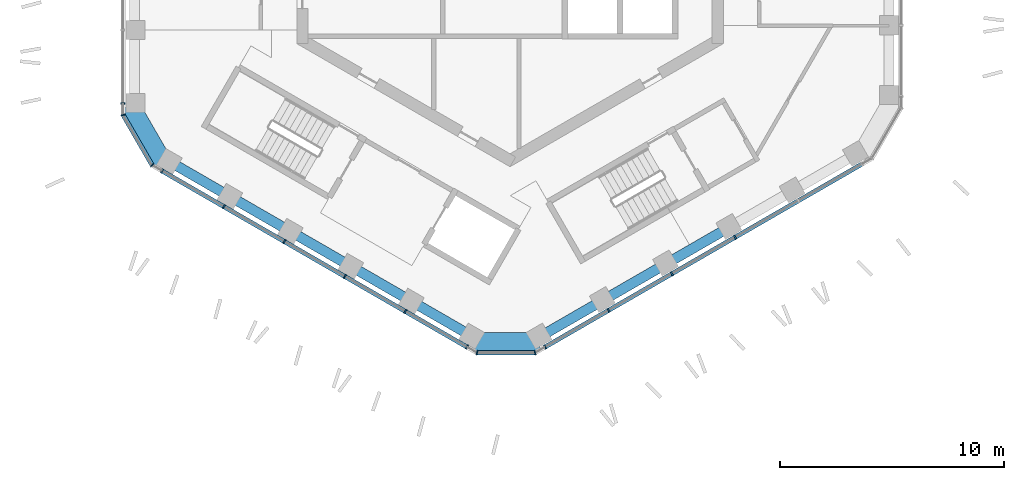
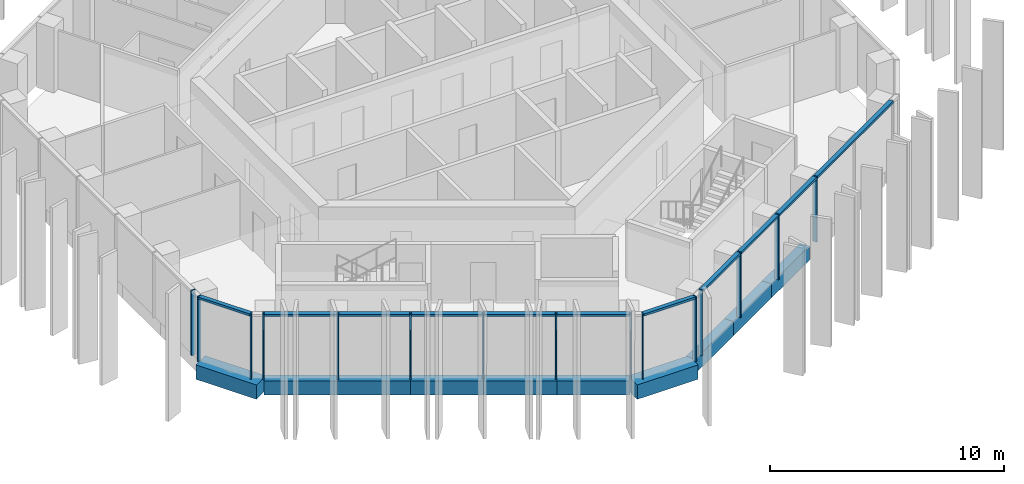
# One storey, part 2 of 18: 19 members, 10 beams, 5 elements without a shape of their own.
"""IFC4 building model written with IfcOpenShell, lengths in metres."""

import ifcopenshell
import ifcopenshell.guid

model = None  # the IFC model being written
_history = None  # IfcOwnerHistory: only IFC2X3 demands one
_inside = {}  # id of a spatial element -> (the spatial element, [elements in it])
_under = {}  # id of a project, library or spatial element -> (it, [spatial elements below it])
_declared = {}  # id of a project -> (the project, [libraries it declares])
_typed = {}  # id of a type object -> (the type object, [elements of that type])
_made_of = {}  # id of a material, layer set ... -> (it, [elements and type objects made of it])


def new_model(schema):
    """Start an empty IFC model of exactly this schema.

    Asked for "IFC4X3", IfcOpenShell would pick the latest addendum, in which some entities
    have other attributes; the version numbers below select the first issue.
    IFC2X3 requires an IfcOwnerHistory on every rooted entity: one is made here for all.
    """
    global model, _history
    if schema == "IFC4X3":
        model = ifcopenshell.file(schema_version=(4, 3, 0, 0))
    else:
        model = ifcopenshell.file(schema=schema)
    _inside.clear()
    _under.clear()
    _declared.clear()
    _typed.clear()
    _made_of.clear()
    _history = None
    if model.schema == "IFC2X3":
        org = make("IfcOrganization", Name="unknown")
        user = make(
            "IfcPersonAndOrganization",
            ThePerson=make("IfcPerson", FamilyName="unknown"),
            TheOrganization=org,
        )
        app = make(
            "IfcApplication",
            ApplicationDeveloper=org,
            Version="unknown",
            ApplicationFullName="unknown",
            ApplicationIdentifier="unknown",
        )
        _history = make(
            "IfcOwnerHistory",
            OwningUser=user,
            OwningApplication=app,
            ChangeAction="ADDED",
            CreationDate=0,
        )
    return model


def make(cls, **values):
    """One entity of the class cls with the attributes given. An attribute that is None is left unset."""
    return model.create_entity(
        cls, **{name: value for name, value in values.items() if value is not None}
    )


def rooted(cls, **values):
    """An entity with a GlobalId (a new one), such as an element, a storey or a relation."""
    return make(cls, GlobalId=ifcopenshell.guid.new(), OwnerHistory=_history, **values)


def si_unit(unit_type, name, prefix=None):
    """IfcSIUnit, for example si_unit("LENGTHUNIT", "METRE", prefix="MILLI")."""
    return make("IfcSIUnit", UnitType=unit_type, Prefix=prefix, Name=name)


def assignment(units):
    """IfcUnitAssignment: the units of a project."""
    return None if units is None else make("IfcUnitAssignment", Units=units)


def point(xyz):
    """IfcCartesianPoint."""
    return None if xyz is None else make("IfcCartesianPoint", Coordinates=xyz)


def direction(xyz):
    """IfcDirection."""
    return None if xyz is None else make("IfcDirection", DirectionRatios=xyz)


def frame(location, z_axis=None, x_axis=None):
    """IfcAxis2Placement3D, a coordinate frame: its origin and axes. An axis left out is left unset."""
    return make(
        "IfcAxis2Placement3D",
        Location=point(location),
        Axis=direction(z_axis),
        RefDirection=direction(x_axis),
    )


def frame_2d(location, x_axis=None):
    """IfcAxis2Placement2D, a coordinate frame in the plane: its origin and x axis."""
    return make(
        "IfcAxis2Placement2D", Location=point(location), RefDirection=direction(x_axis)
    )


def origin():
    """The frame at (0, 0, 0) with its axes left unset."""
    return frame((0.0, 0.0, 0.0))


def origin_2d():
    """The frame at (0, 0) in the plane with its x axis left unset."""
    return frame_2d((0.0, 0.0))


def place(relative_to, where):
    """IfcLocalPlacement: puts the frame where relative to a parent placement (None: the world)."""
    return make(
        "IfcLocalPlacement", PlacementRelTo=relative_to, RelativePlacement=where
    )


def context(
    kind, dimensions, precision=None, world=None, true_north=None, identifier=None
):
    """IfcGeometricRepresentationContext, for example the 3D "Model" context."""
    return make(
        "IfcGeometricRepresentationContext",
        ContextIdentifier=identifier,
        ContextType=kind,
        CoordinateSpaceDimension=dimensions,
        Precision=precision,
        WorldCoordinateSystem=world,
        TrueNorth=true_north,
    )


def subcontext(parent, identifier, kind, view, scale=None):
    """IfcGeometricRepresentationSubContext, for example "Body" below "Model"."""
    return make(
        "IfcGeometricRepresentationSubContext",
        ContextIdentifier=identifier,
        ContextType=kind,
        ParentContext=parent,
        TargetScale=scale,
        TargetView=view,
    )


def project(units=None, contexts=None):
    """IfcProject with its units and contexts."""
    return rooted(
        "IfcProject",
        Name="project",
        RepresentationContexts=contexts,
        UnitsInContext=assignment(units),
    )


def spatial(cls, under=None, at=None, **own):
    """A site, building, storey or space (cls), placed at a placement, below another one or the project."""
    s = rooted(cls, ObjectPlacement=at, **own)
    if under is not None:
        _under.setdefault(under.id(), (under, []))[1].append(s)
    return s


def profile(cls, at=None, kind="AREA", **sizes):
    """A parametric profile (cls). Its sizes go by their IFC names, for example OverallWidth=200.0."""
    return make(cls, ProfileType=kind, Position=at, **sizes)


def rectangle(**sizes):
    """IfcRectangleProfileDef."""
    return profile("IfcRectangleProfileDef", **sizes)


def extrude(swept, where, along, depth):
    """IfcExtrudedAreaSolid: the profile swept, set in the frame where, extruded along a direction by depth."""
    return make(
        "IfcExtrudedAreaSolid",
        SweptArea=swept,
        Position=where,
        ExtrudedDirection=direction(along),
        Depth=depth,
    )


def shape(context_of_items, identifier, shape_type, items):
    """IfcShapeRepresentation: the items that make up one representation, for example the "Body"."""
    return make(
        "IfcShapeRepresentation",
        ContextOfItems=context_of_items,
        RepresentationIdentifier=identifier,
        RepresentationType=shape_type,
        Items=items,
    )


def material(Name=None, Category=None):
    """IfcMaterial."""
    return make("IfcMaterial", Name=Name, Category=Category)


def layer(
    of_material, thickness, ventilated=None, Name=None, Category=None, Priority=None
):
    """IfcMaterialLayer: one layer of a wall or slab, of a material (None: an air gap)."""
    return make(
        "IfcMaterialLayer",
        Material=of_material,
        LayerThickness=thickness,
        IsVentilated=ventilated,
        Name=Name,
        Category=Category,
        Priority=Priority,
    )


def layer_set(layers, Name=None):
    """IfcMaterialLayerSet."""
    return make("IfcMaterialLayerSet", MaterialLayers=layers, LayerSetName=Name)


def material_profile(
    of_material, cross_section, Name=None, Category=None, Priority=None
):
    """IfcMaterialProfile: a cross section and its material."""
    return make(
        "IfcMaterialProfile",
        Name=Name,
        Material=of_material,
        Profile=cross_section,
        Priority=Priority,
        Category=Category,
    )


def profile_set(profiles, Name=None, composite=None):
    """IfcMaterialProfileSet."""
    return make(
        "IfcMaterialProfileSet",
        Name=Name,
        MaterialProfiles=profiles,
        CompositeProfile=composite,
    )


def made_of(thing, what):
    """Note that an element or type object is made of a material, layer set ...; save() writes the relation."""
    if what is not None:
        _made_of.setdefault(what.id(), (what, []))[1].append(thing)
    return thing


def type_object(cls, material=None, **own):
    """A type object (cls), such as IfcWallType, which elements share."""
    return made_of(rooted(cls, **own), material)


def element(
    cls,
    number,
    at=None,
    inside=None,
    cuts=None,
    type_object=None,
    material=None,
    context=None,
    identifier="Body",
    shape_type=None,
    held_by="IfcProductDefinitionShape",
    body=None,
    shapes=None,
    **own,
):
    """One element of the class cls, such as IfcWall. Its Tag is "e" and its number.

    at: its placement. inside: the storey or other place that contains it. cuts: it is an
    opening in that element (IfcRelVoidsElement). A single representation is given by context,
    identifier, shape_type and body (its items); several are given by shapes. held_by: the class
    of the entity that holds the representations. save() writes the other relations.
    """
    e = rooted(cls, Tag="e%d" % number, ObjectPlacement=at, **own)
    if body is not None:
        shapes = [shape(context, identifier, shape_type, body)]
    if shapes is not None:
        e.Representation = make(held_by, Representations=shapes)
    if inside is not None:
        _inside.setdefault(inside.id(), (inside, []))[1].append(e)
    if cuts is not None:
        rooted(
            "IfcRelVoidsElement", RelatingBuildingElement=cuts, RelatedOpeningElement=e
        )
    if type_object is not None:
        _typed.setdefault(type_object.id(), (type_object, []))[1].append(e)
    return made_of(e, material)


def aggregate(whole, parts):
    """IfcRelAggregates: a whole, such as a stair, and the parts it consists of."""
    return rooted("IfcRelAggregates", RelatingObject=whole, RelatedObjects=parts)


def save(model, path):
    """Write the relations noted so far, then the file.

    IfcRelAggregates (storeys below a building ...), IfcRelContainedInSpatialStructure (elements
    in a storey), IfcRelDefinesByType, IfcRelAssociatesMaterial and IfcRelDeclares: one each for
    every whole, place, type object, material and project.
    """
    for whole, parts in _under.values():
        aggregate(whole, parts)
    for where, things in _inside.values():
        rooted(
            "IfcRelContainedInSpatialStructure",
            RelatedElements=things,
            RelatingStructure=where,
        )
    for kind, things in _typed.values():
        rooted("IfcRelDefinesByType", RelatedObjects=things, RelatingType=kind)
    for what, things in _made_of.values():
        rooted("IfcRelAssociatesMaterial", RelatedObjects=things, RelatingMaterial=what)
    for by, libraries in _declared.values():
        rooted("IfcRelDeclares", RelatingContext=by, RelatedDefinitions=libraries)
    model.write(path)


model = new_model("IFC4")

# Units and contexts
model_context = context("Model", 3, precision=1e-05, world=origin(), true_north=direction((0.0, 1.0)))
body_context = subcontext(model_context, "Body", "Model", "MODEL_VIEW")
ifc_project = project(units=[si_unit("LENGTHUNIT", "METRE"), si_unit("AREAUNIT", "SQUARE_METRE"), si_unit("VOLUMEUNIT", "CUBIC_METRE"), si_unit("PLANEANGLEUNIT", "RADIAN"), si_unit("MASSUNIT", "GRAM", prefix="KILO")], contexts=[model_context])

# Site, building, storey
site_placement = place(None, origin())
site = spatial("IfcSite", under=ifc_project, at=site_placement, CompositionType="ELEMENT")
building_placement = place(site_placement, origin())
building = spatial("IfcBuilding", under=site, at=building_placement, Name="Ayvan Gate Tower", CompositionType="ELEMENT")
storey_placement = place(building_placement, frame((0.0, 0.0, 229.10009765625)))
storey = spatial("IfcBuildingStorey", under=building, at=storey_placement, Name="L61", CompositionType="ELEMENT", Elevation=229.10009765625)

# Beams
ifc_material_1 = material(Name="Concrete C40/50", Category="concrete")
ifc_material_profile_1 = material_profile(ifc_material_1, rectangle(XDim=0.800048828125, YDim=0.75, at=origin_2d()), Name="RC 800x750")
ifc_profile_set_1 = profile_set([ifc_material_profile_1], Name="Concrete C40/50")
beam_type_1 = type_object("IfcBeamType", Name="Corner spandrel beam RC 800x750 C40/50", PredefinedType="BEAM", material=ifc_profile_set_1)
for number, where, z_axis, x_axis, name in (
    (1, (-16.91259765625, -8.223388671875, -0.72509765625), (0.499990139034, -0.866031096941, 0.0), (0.866031096941, 0.499990139034, 0.0), "SB-L61-24"),
    (2, (-1.665283203125, -18.758544921875, -0.72509765625), (1.0, 0.0, 0.0), (0.0, 1.0, 0.0), "SB-L61-30"),
):
    element("IfcBeam", number, at=place(storey_placement, frame(where, z_axis=z_axis, x_axis=x_axis)), inside=storey, type_object=beam_type_1, Name=name, PredefinedType="BEAM", context=body_context, shape_type="SweptSolid", body=[
        extrude(rectangle(XDim=0.800048828125, YDim=0.75, at=origin_2d()), origin(), (0.0, 0.0, 1.0), 3.0),
    ])
ifc_material_profile_2 = material_profile(ifc_material_1, rectangle(XDim=0.449951171875, YDim=0.75, at=origin_2d()), Name="RC 450x750")
ifc_profile_set_2 = profile_set([ifc_material_profile_2], Name="Concrete C40/50")
beam_type_2 = type_object("IfcBeamType", Name="Spandrel beam RC 450x750 C40/50", PredefinedType="BEAM", material=ifc_profile_set_2)
for number, where, z_axis, x_axis, name in (
    (3, (-15.22216796875, -10.71142578125, -0.72509765625), (0.866027162616, -0.499996953601, 0.0), (0.499996953601, 0.866027162616, 0.0), "SB-L61-25"),
    (4, (-12.5107421875, -12.27685546875, -0.72509765625), (0.866027162616, -0.499996953601, 0.0), (0.499996953601, 0.866027162616, 0.0), "SB-L61-26"),
):
    element("IfcBeam", number, at=place(storey_placement, frame(where, z_axis=z_axis, x_axis=x_axis)), inside=storey, type_object=beam_type_2, Name=name, PredefinedType="BEAM", context=body_context, shape_type="SweptSolid", body=[
        extrude(rectangle(XDim=0.449951171875, YDim=0.75, at=origin_2d()), origin(), (0.0, 0.0, 1.0), 3.130859375),
    ])
beam_placement = place(storey_placement, frame((-9.79931640625, -13.84228515625, -0.72509765625), z_axis=(0.8660076663, -0.500030720965, 0.0), x_axis=(0.500030720965, 0.8660076663, 0.0)))
element("IfcBeam", 5, at=beam_placement, inside=storey, type_object=beam_type_2, Name="SB-L61-27", PredefinedType="BEAM", context=body_context, shape_type="SweptSolid", body=[
    extrude(rectangle(XDim=0.449951171875, YDim=0.75, at=origin_2d()), origin(), (0.0, 0.0, 1.0), 3.130615234375),
])
for number, where, z_axis, x_axis, name in (
    (6, (-7.088134765625, -15.40771484375, -0.72509765625), (0.866027162616, -0.499996953601, 0.0), (0.499996953601, 0.866027162616, 0.0), "SB-L61-28"),
    (7, (-4.376708984375, -16.97314453125, -0.72509765625), (0.866027162616, -0.499996953601, 0.0), (0.499996953601, 0.866027162616, 0.0), "SB-L61-29"),
):
    element("IfcBeam", number, at=place(storey_placement, frame(where, z_axis=z_axis, x_axis=x_axis)), inside=storey, type_object=beam_type_2, Name=name, PredefinedType="BEAM", context=body_context, shape_type="SweptSolid", body=[
        extrude(rectangle(XDim=0.449951171875, YDim=0.75, at=origin_2d()), origin(), (0.0, 0.0, 1.0), 3.130859375),
    ])
for number, where, z_axis, x_axis, name in (
    (8, (1.334716796875, -18.53857421875, -0.72509765625), (0.866007692701, 0.500030675242, 0.0), (-0.500030675242, 0.866007692701, 0.0), "SB-L61-31"),
    (9, (4.145263671875, -16.915771484375, -0.72509765625), (0.866040267459, 0.499974254476, 0.0), (-0.499974254476, 0.866040267459, 0.0), "SB-L61-32"),
    (10, (6.955810546875, -15.293212890625, -0.72509765625), (0.866007692701, 0.500030675242, 0.0), (-0.500030675242, 0.866007692701, 0.0), "SB-L61-33"),
):
    element("IfcBeam", number, at=place(storey_placement, frame(where, z_axis=z_axis, x_axis=x_axis)), inside=storey, type_object=beam_type_2, Name=name, PredefinedType="BEAM", context=body_context, shape_type="SweptSolid", body=[
        extrude(rectangle(XDim=0.449951171875, YDim=0.75, at=origin_2d()), origin(), (0.0, 0.0, 1.0), 3.245361328125),
    ])

# Curtain wall, member
ifc_material_2 = material(Name="Bronze anodised aluminium", Category="aluminium")
ifc_layer_1 = layer(ifc_material_2, 0.199951171875)
ifc_layer_set_1 = layer_set([ifc_layer_1], Name="Bronze anodised aluminium")
curtain_wall_type_1 = type_object("IfcCurtainWallType", Name="Stick curtain wall CW-2", PredefinedType="NOTDEFINED", material=ifc_layer_set_1)
curtain_wall_1_placement = place(storey_placement, origin())
curtain_wall_1 = element("IfcCurtainWall", 11, at=curtain_wall_1_placement, inside=storey, type_object=curtain_wall_type_1, Name="Stick curtain wall CW-2 L61", PredefinedType="NOTDEFINED")
ifc_material_profile_3 = material_profile(ifc_material_2, rectangle(XDim=0.199951171875, YDim=0.070068359375, at=origin_2d()), Name="Stick curtain wall CW-2 mullion 200 x 70")
ifc_profile_set_3 = profile_set([ifc_material_profile_3], Name="Bronze anodised aluminium")
member_type_1 = type_object("IfcMemberType", Name="Stick curtain wall CW-2 mullion 200 x 70", PredefinedType="MULLION", material=ifc_profile_set_3)
member_1_placement = place(storey_placement, frame((-17.234375, -8.15478515625, 0.0), z_axis=(0.0, 0.0, 1.0), x_axis=(-1.0, 0.0, 0.0)))
member_1 = element("IfcMember", 12, at=member_1_placement, type_object=member_type_1, Name="CW-2 mullion 6", PredefinedType="MULLION", context=body_context, shape_type="SweptSolid", body=[
    extrude(rectangle(XDim=0.199951171875, YDim=0.070068359375, at=origin_2d()), origin(), (0.0, 0.0, 1.0), 3.39990234375),
])
aggregate(curtain_wall_1, [member_1])

# Curtain wall, members
curtain_wall_2_placement = place(storey_placement, origin())
curtain_wall_2 = element("IfcCurtainWall", 13, at=curtain_wall_2_placement, inside=storey, type_object=curtain_wall_type_1, Name="Stick curtain wall CW-2 L61", PredefinedType="NOTDEFINED")
member_2_placement = place(storey_placement, frame((-15.50146484375, -11.156494140625, 0.0), z_axis=(0.0, 0.0, 1.0), x_axis=(-0.5, -0.866025403784, 0.0)))
member_2 = element("IfcMember", 14, at=member_2_placement, type_object=member_type_1, Name="CW-2 mullion 1", PredefinedType="MULLION", context=body_context, shape_type="SweptSolid", body=[
    extrude(rectangle(XDim=0.199951171875, YDim=0.070068359375, at=origin_2d()), origin(), (0.0, 0.0, 1.0), 3.39990234375),
])
member_3_placement = place(storey_placement, frame((-12.74755859375, -12.746337890625, 0.0), z_axis=(0.0, 0.0, 1.0), x_axis=(-0.5, -0.866025403784, 0.0)))
member_3 = element("IfcMember", 15, at=member_3_placement, type_object=member_type_1, Name="CW-2 mullion 2", PredefinedType="MULLION", context=body_context, shape_type="SweptSolid", body=[
    extrude(rectangle(XDim=0.199951171875, YDim=0.070068359375, at=origin_2d()), origin(), (0.0, 0.0, 1.0), 3.39990234375),
])
member_4_placement = place(storey_placement, frame((-10.05322265625, -14.302001953125, 0.0), z_axis=(0.0, 0.0, 1.0), x_axis=(-0.5, -0.866025403784, 0.0)))
member_4 = element("IfcMember", 16, at=member_4_placement, type_object=member_type_1, Name="CW-2 mullion 3", PredefinedType="MULLION", context=body_context, shape_type="SweptSolid", body=[
    extrude(rectangle(XDim=0.199951171875, YDim=0.070068359375, at=origin_2d()), origin(), (0.0, 0.0, 1.0), 3.39990234375),
])
member_5_placement = place(storey_placement, frame((-7.359130859375, -15.857421875, 0.0), z_axis=(0.0, 0.0, 1.0), x_axis=(-0.5, -0.866025403784, 0.0)))
member_5 = element("IfcMember", 17, at=member_5_placement, type_object=member_type_1, Name="CW-2 mullion 4", PredefinedType="MULLION", context=body_context, shape_type="SweptSolid", body=[
    extrude(rectangle(XDim=0.199951171875, YDim=0.070068359375, at=origin_2d()), origin(), (0.0, 0.0, 1.0), 3.39990234375),
])
member_6_placement = place(storey_placement, frame((-4.6650390625, -17.412841796875, 0.0), z_axis=(0.0, 0.0, 1.0), x_axis=(-0.5, -0.866025403784, 0.0)))
member_6 = element("IfcMember", 18, at=member_6_placement, type_object=member_type_1, Name="CW-2 mullion 5", PredefinedType="MULLION", context=body_context, shape_type="SweptSolid", body=[
    extrude(rectangle(XDim=0.199951171875, YDim=0.070068359375, at=origin_2d()), origin(), (0.0, 0.0, 1.0), 3.39990234375),
])
member_7_placement = place(storey_placement, frame((-1.910888671875, -19.0029296875, 0.0), z_axis=(0.0, 0.0, 1.0), x_axis=(-0.5, -0.866025403784, 0.0)))
member_7 = element("IfcMember", 19, at=member_7_placement, type_object=member_type_1, Name="CW-2 mullion 6", PredefinedType="MULLION", context=body_context, shape_type="SweptSolid", body=[
    extrude(rectangle(XDim=0.199951171875, YDim=0.070068359375, at=origin_2d()), origin(), (0.0, 0.0, 1.0), 3.39990234375),
])

curtain_wall_3_placement = place(storey_placement, origin())
curtain_wall_3 = element("IfcCurtainWall", 20, at=curtain_wall_3_placement, inside=storey, type_object=curtain_wall_type_1, Name="Stick curtain wall CW-2 L61", PredefinedType="NOTDEFINED")
member_8_placement = place(storey_placement, frame((1.554931640625, -19.0029296875, 0.0), z_axis=(0.0, 0.0, 1.0), x_axis=(0.5, -0.866025403784, 0.0)))
member_8 = element("IfcMember", 21, at=member_8_placement, type_object=member_type_1, Name="CW-2 mullion 1", PredefinedType="MULLION", context=body_context, shape_type="SweptSolid", body=[
    extrude(rectangle(XDim=0.199951171875, YDim=0.070068359375, at=origin_2d()), origin(), (0.0, 0.0, 1.0), 3.39990234375),
])
member_9_placement = place(storey_placement, frame((4.388427734375, -17.366943359375, 0.0), z_axis=(0.0, 0.0, 1.0), x_axis=(0.5, -0.866025403784, 0.0)))
member_9 = element("IfcMember", 22, at=member_9_placement, type_object=member_type_1, Name="CW-2 mullion 2", PredefinedType="MULLION", context=body_context, shape_type="SweptSolid", body=[
    extrude(rectangle(XDim=0.199951171875, YDim=0.070068359375, at=origin_2d()), origin(), (0.0, 0.0, 1.0), 3.39990234375),
])
member_10_placement = place(storey_placement, frame((7.20751953125, -15.739501953125, 0.0), z_axis=(0.0, 0.0, 1.0), x_axis=(0.5, -0.866025403784, 0.0)))
member_10 = element("IfcMember", 23, at=member_10_placement, type_object=member_type_1, Name="CW-2 mullion 3", PredefinedType="MULLION", context=body_context, shape_type="SweptSolid", body=[
    extrude(rectangle(XDim=0.199951171875, YDim=0.070068359375, at=origin_2d()), origin(), (0.0, 0.0, 1.0), 3.39990234375),
])
member_11_placement = place(storey_placement, frame((10.0263671875, -14.11181640625, 0.0), z_axis=(0.0, 0.0, 1.0), x_axis=(0.5, -0.866025403784, 0.0)))
member_11 = element("IfcMember", 24, at=member_11_placement, type_object=member_type_1, Name="CW-2 mullion 4", PredefinedType="MULLION", context=body_context, shape_type="SweptSolid", body=[
    extrude(rectangle(XDim=0.199951171875, YDim=0.070068359375, at=origin_2d()), origin(), (0.0, 0.0, 1.0), 3.39990234375),
])

# Member
ifc_material_profile_4 = material_profile(ifc_material_2, rectangle(XDim=0.199951171875, YDim=0.1201171875, at=origin_2d()), Name="Stick curtain wall CW-2 transom 200 x 120")
ifc_profile_set_4 = profile_set([ifc_material_profile_4], Name="Bronze anodised aluminium")
member_type_2 = type_object("IfcMemberType", Name="Stick curtain wall CW-2 transom 200 x 120", PredefinedType="USERDEFINED", material=ifc_profile_set_4)
member_12_placement = place(storey_placement, frame((-15.50146484375, -11.156494140625, 3.33984375), z_axis=(0.866027811637, -0.499995829454, 0.0), x_axis=(0.499995829454, 0.866027811637, 0.0)))
member_12 = element("IfcMember", 25, at=member_12_placement, type_object=member_type_2, Name="CW-2 transom 1", ObjectType="TRANSOM", PredefinedType="USERDEFINED", context=body_context, shape_type="SweptSolid", body=[
    extrude(rectangle(XDim=0.199951171875, YDim=0.1201171875, at=origin_2d()), origin(), (0.0, 0.0, 1.0), 15.693115234375),
])

aggregate(curtain_wall_2, [member_2, member_3, member_4, member_5, member_6, member_7, member_12])

member_13_placement = place(storey_placement, frame((1.554931640625, -19.0029296875, 3.33984375), z_axis=(0.866025549455, 0.499999747691, 0.0), x_axis=(-0.499999747691, 0.866025549455, 0.0)))
member_13 = element("IfcMember", 26, at=member_13_placement, type_object=member_type_2, Name="CW-2 transom 1", ObjectType="TRANSOM", PredefinedType="USERDEFINED", context=body_context, shape_type="SweptSolid", body=[
    extrude(rectangle(XDim=0.199951171875, YDim=0.1201171875, at=origin_2d()), origin(), (0.0, 0.0, 1.0), 16.3095703125),
])

aggregate(curtain_wall_3, [member_8, member_9, member_10, member_11, member_13])

# Curtain wall, members
ifc_layer_2 = layer(ifc_material_2, 0.199951171875)
ifc_layer_set_2 = layer_set([ifc_layer_2], Name="Bronze anodised aluminium")
curtain_wall_type_2 = type_object("IfcCurtainWallType", Name="Stick curtain wall CW-6", PredefinedType="NOTDEFINED", material=ifc_layer_set_2)
curtain_wall_4_placement = place(storey_placement, origin())
curtain_wall_4 = element("IfcCurtainWall", 27, at=curtain_wall_4_placement, inside=storey, type_object=curtain_wall_type_2, Name="Stick curtain wall CW-6 L61", PredefinedType="NOTDEFINED")
ifc_material_profile_5 = material_profile(ifc_material_2, rectangle(XDim=0.199951171875, YDim=0.050048828125, at=origin_2d()), Name="Stick curtain wall CW-6 mullion 200 x 50")
ifc_profile_set_5 = profile_set([ifc_material_profile_5], Name="Bronze anodised aluminium")
member_type_3 = type_object("IfcMemberType", Name="Stick curtain wall CW-6 mullion 200 x 50", PredefinedType="MULLION", material=ifc_profile_set_5)
member_14_placement = place(storey_placement, frame((-17.234375, -8.664794921875, 0.0), z_axis=(0.0, 0.0, 1.0), x_axis=(-0.965925826289, -0.258819045103, 0.0)))
member_14 = element("IfcMember", 28, at=member_14_placement, type_object=member_type_3, Name="CW-6 mullion 2", PredefinedType="MULLION", context=body_context, shape_type="SweptSolid", body=[
    extrude(rectangle(XDim=0.199951171875, YDim=0.050048828125, at=origin_2d()), origin(), (0.0, 0.0, 1.0), 3.39990234375),
])
member_15_placement = place(storey_placement, frame((-15.943115234375, -10.9013671875, 0.0), z_axis=(0.0, 0.0, 1.0), x_axis=(-0.707106781187, -0.707106781187, 0.0)))
member_15 = element("IfcMember", 29, at=member_15_placement, type_object=member_type_3, Name="CW-6 mullion 3", PredefinedType="MULLION", context=body_context, shape_type="SweptSolid", body=[
    extrude(rectangle(XDim=0.199951171875, YDim=0.050048828125, at=origin_2d()), origin(), (0.0, 0.0, 1.0), 3.39990234375),
])

curtain_wall_5_placement = place(storey_placement, origin())
curtain_wall_5 = element("IfcCurtainWall", 30, at=curtain_wall_5_placement, inside=storey, type_object=curtain_wall_type_2, Name="Stick curtain wall CW-6 L61", PredefinedType="NOTDEFINED")
member_16_placement = place(storey_placement, frame((-1.46923828125, -19.2578125, 0.0), z_axis=(0.0, 0.0, 1.0), x_axis=(-0.258819045103, -0.965925826289, 0.0)))
member_16 = element("IfcMember", 31, at=member_16_placement, type_object=member_type_3, Name="CW-6 mullion 2", PredefinedType="MULLION", context=body_context, shape_type="SweptSolid", body=[
    extrude(rectangle(XDim=0.199951171875, YDim=0.050048828125, at=origin_2d()), origin(), (0.0, 0.0, 1.0), 3.39990234375),
])
member_17_placement = place(storey_placement, frame((1.11328125, -19.2578125, 0.0), z_axis=(0.0, 0.0, 1.0), x_axis=(0.258819045103, -0.965925826289, 0.0)))
member_17 = element("IfcMember", 32, at=member_17_placement, type_object=member_type_3, Name="CW-6 mullion 3", PredefinedType="MULLION", context=body_context, shape_type="SweptSolid", body=[
    extrude(rectangle(XDim=0.199951171875, YDim=0.050048828125, at=origin_2d()), origin(), (0.0, 0.0, 1.0), 3.39990234375),
])

# Member
ifc_material_profile_6 = material_profile(ifc_material_2, rectangle(XDim=0.199951171875, YDim=0.1201171875, at=origin_2d()), Name="Stick curtain wall CW-6 transom 200 x 120")
ifc_profile_set_6 = profile_set([ifc_material_profile_6], Name="Bronze anodised aluminium")
member_type_4 = type_object("IfcMemberType", Name="Stick curtain wall CW-6 transom 200 x 120", PredefinedType="USERDEFINED", material=ifc_profile_set_6)
member_18_placement = place(storey_placement, frame((-17.221923828125, -8.6865234375, 3.33984375), z_axis=(0.500006158363, -0.866021848223, 0.0), x_axis=(0.866021848223, 0.500006158363, 0.0)))
member_18 = element("IfcMember", 33, at=member_18_placement, type_object=member_type_4, Name="CW-6 transom 2", ObjectType="TRANSOM", PredefinedType="USERDEFINED", context=body_context, shape_type="SweptSolid", body=[
    extrude(rectangle(XDim=0.199951171875, YDim=0.1201171875, at=origin_2d()), origin(), (0.0, 0.0, 1.0), 2.53271484375),
])

aggregate(curtain_wall_4, [member_14, member_15, member_18])

member_19_placement = place(storey_placement, frame((-1.4443359375, -19.2578125, 3.33984375), z_axis=(1.0, 0.0, 0.0), x_axis=(0.0, 1.0, 0.0)))
member_19 = element("IfcMember", 34, at=member_19_placement, type_object=member_type_4, Name="CW-6 transom 2", ObjectType="TRANSOM", PredefinedType="USERDEFINED", context=body_context, shape_type="SweptSolid", body=[
    extrude(rectangle(XDim=0.199951171875, YDim=0.1201171875, at=origin_2d()), origin(), (0.0, 0.0, 1.0), 2.532470703125),
])

aggregate(curtain_wall_5, [member_16, member_17, member_19])

save(model, "model.ifc")
